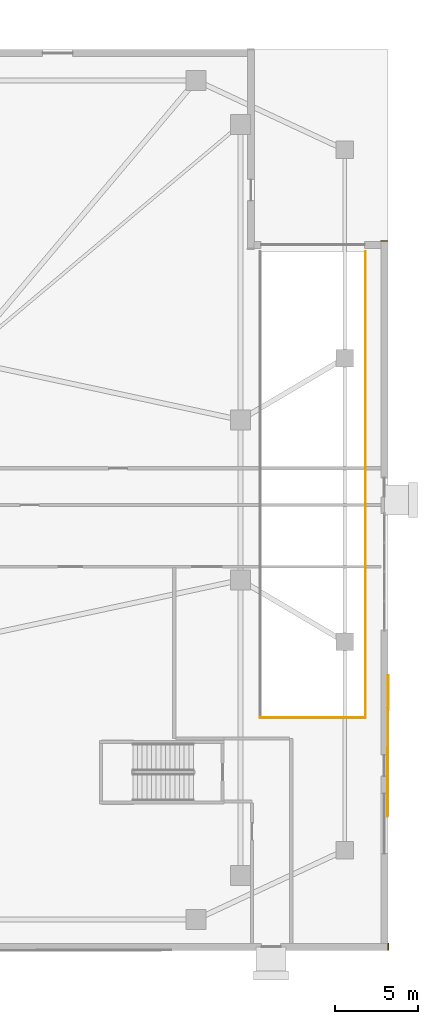
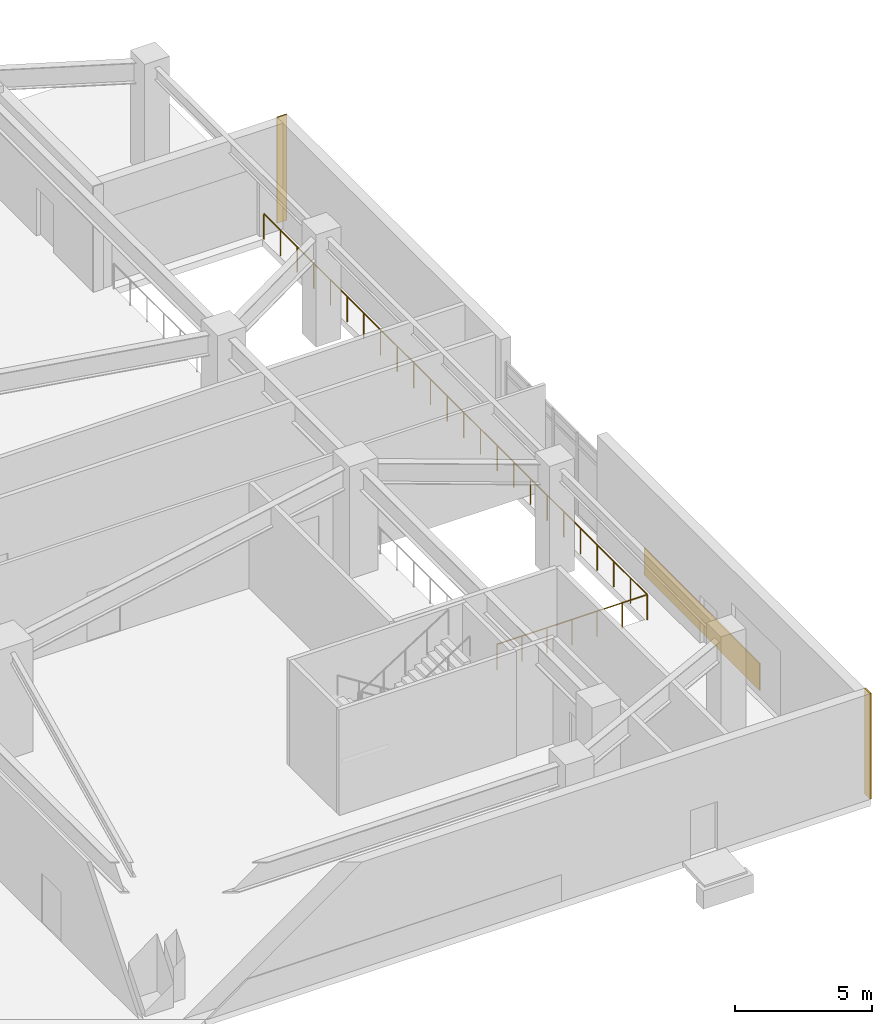
# One storey, part 20 of 21: 3 coverings, 2 railings.
"""IFC4 building model written with IfcOpenShell, lengths in metres."""

from ifc_helpers import new_model, si_unit, direction, frame, frame_2d, origin, origin_2d, place, context, subcontext, project, spatial, rectangle, circle, extrude, material, layer, layer_set, type_object, element, save


model = new_model("IFC4")

# Units and contexts
model_context = context("Model", 3, precision=1e-05, world=origin(), true_north=direction((0.0, 1.0)))
body_context = subcontext(model_context, "Body", "Model", "MODEL_VIEW")
ifc_project = project(units=[si_unit("LENGTHUNIT", "METRE"), si_unit("AREAUNIT", "SQUARE_METRE"), si_unit("VOLUMEUNIT", "CUBIC_METRE"), si_unit("PLANEANGLEUNIT", "RADIAN"), si_unit("MASSUNIT", "GRAM", prefix="KILO")], contexts=[model_context])

# Site, building, storey
site_placement = place(None, origin())
site = spatial("IfcSite", under=ifc_project, at=site_placement, CompositionType="ELEMENT")
building_placement = place(site_placement, origin())
building = spatial("IfcBuilding", under=site, at=building_placement, Name="Cairnveth Concourse Tower", CompositionType="ELEMENT")
storey_placement = place(building_placement, origin())
storey = spatial("IfcBuildingStorey", under=building, at=storey_placement, Name="L00", CompositionType="ELEMENT", Elevation=0.0)

# Coverings
ifc_material_1 = material(Name="Dressed Melbourne Bluestone Cladding", Category="masonry")
ifc_layer = layer(ifc_material_1, 0.050048828125)
ifc_layer_set = layer_set([ifc_layer], Name="Dressed Melbourne Bluestone Cladding")
covering_type = type_object("IfcCoveringType", Name="DRESSED BLUESTONE PLINTH CLADDING 50", PredefinedType="CLADDING", material=ifc_layer_set)
covering_placement = place(storey_placement, frame((85.97998046875, 20.0, 0.0), z_axis=(0.0, 0.0, 1.0), x_axis=(0.004710425683, 0.999988905883, 0.0)))
element("IfcCovering", 1, at=covering_placement, inside=storey, type_object=covering_type, Name="Melbourne Bluestone Plinth Cladding CL-L00-E1", PredefinedType="CLADDING", context=body_context, shape_type="SweptSolid", body=[
    extrude(rectangle(XDim=8.5, YDim=0.050048828125, at=frame_2d((4.25, 0.0))), origin(), (0.0, 0.0, 1.0), 1.199951171875),
])
for number, where, z_axis, x_axis, name in (
    (2, (85.580078125, 54.530029296875, 0.0), (0.0, 0.0, 1.0), (1.0, 0.0, 0.0), "Melbourne Bluestone Corner Quoin L00-4"),
    (3, (86.02001953125, 12.419921875, 0.0), (0.0, 0.0, 1.0), (0.0, -1.0, 0.0), "Melbourne Bluestone Corner Quoin L00-5"),
):
    element("IfcCovering", number, at=place(storey_placement, frame(where, z_axis=z_axis, x_axis=x_axis)), inside=storey, type_object=covering_type, Name=name, PredefinedType="CLADDING", context=body_context, shape_type="SweptSolid", body=[
        extrude(rectangle(XDim=0.419921875, YDim=0.050048828125, at=frame_2d((0.2099609375, 0.0))), origin(), (0.0, 0.0, 1.0), 4.699951171875),
    ])

# Railings
ifc_material_2 = material(Name="Steel Grade 350", Category="steel")
railing_type = type_object("IfcRailingType", Name="STAIR GUARDRAIL 1150", PredefinedType="GUARDRAIL", material=ifc_material_2)
railing_1_placement = place(storey_placement, frame((78.340087890625, 25.93994140625, 0.0)))
element("IfcRailing", 4, at=railing_1_placement, inside=storey, type_object=railing_type, Name="Concourse L00 Ramp Well Guardrail S", PredefinedType="GUARDRAIL", context=body_context, shape_type="SweptSolid", body=[
    extrude(circle(Radius=0.02490234375, at=origin_2d()), frame((0.0, 0.0, 1.125), z_axis=(1.0, 0.0, 0.0), x_axis=(0.0, 1.0, 0.0)), (0.0, 0.0, 1.0), 6.31982421875),
    extrude(circle(Radius=0.0224609375, at=origin_2d()), origin(), (0.0, 0.0, 1.0), 1.099853515625),
    extrude(circle(Radius=0.0224609375, at=origin_2d()), frame((1.05322265625, 0.0, 0.0)), (0.0, 0.0, 1.0), 1.099853515625),
    extrude(circle(Radius=0.0224609375, at=origin_2d()), frame((2.106689453125, 0.0, 0.0)), (0.0, 0.0, 1.0), 1.099853515625),
    extrude(circle(Radius=0.0224609375, at=origin_2d()), frame((3.159912109375, 0.0, 0.0)), (0.0, 0.0, 1.0), 1.099853515625),
    extrude(circle(Radius=0.0224609375, at=origin_2d()), frame((4.213134765625, 0.0, 0.0)), (0.0, 0.0, 1.0), 1.099853515625),
    extrude(circle(Radius=0.0224609375, at=origin_2d()), frame((5.2666015625, 0.0, 0.0)), (0.0, 0.0, 1.0), 1.099853515625),
    extrude(circle(Radius=0.0224609375, at=origin_2d()), frame((6.31982421875, 0.0, 0.0)), (0.0, 0.0, 1.0), 1.099853515625),
])
railing_2_placement = place(storey_placement, frame((84.659912109375, 25.93994140625, 0.0)))
element("IfcRailing", 5, at=railing_2_placement, inside=storey, type_object=railing_type, Name="Concourse L00 Ramp Well Guardrail E", PredefinedType="GUARDRAIL", context=body_context, shape_type="SweptSolid", body=[
    extrude(circle(Radius=0.02490234375, at=origin_2d()), frame((0.0, 0.0, 1.125), z_axis=(0.0, 1.0, 0.0), x_axis=(-1.0, 0.0, 0.0)), (0.0, 0.0, 1.0), 27.93994140625),
    extrude(circle(Radius=0.0224609375, at=origin_2d()), origin(), (0.0, 0.0, 1.0), 1.099853515625),
    extrude(circle(Radius=0.0224609375, at=origin_2d()), frame((0.0, 1.21484375, 0.0)), (0.0, 0.0, 1.0), 1.099853515625),
    extrude(circle(Radius=0.0224609375, at=origin_2d()), frame((0.0, 2.429443359375, 0.0)), (0.0, 0.0, 1.0), 1.099853515625),
    extrude(circle(Radius=0.0224609375, at=origin_2d()), frame((0.0, 3.644287109375, 0.0)), (0.0, 0.0, 1.0), 1.099853515625),
    extrude(circle(Radius=0.0224609375, at=origin_2d()), frame((0.0, 4.859130859375, 0.0)), (0.0, 0.0, 1.0), 1.099853515625),
    extrude(circle(Radius=0.0224609375, at=origin_2d()), frame((0.0, 6.073974609375, 0.0)), (0.0, 0.0, 1.0), 1.099853515625),
    extrude(circle(Radius=0.0224609375, at=origin_2d()), frame((0.0, 7.28857421875, 0.0)), (0.0, 0.0, 1.0), 1.099853515625),
    extrude(circle(Radius=0.0224609375, at=origin_2d()), frame((0.0, 8.50341796875, 0.0)), (0.0, 0.0, 1.0), 1.099853515625),
    extrude(circle(Radius=0.0224609375, at=origin_2d()), frame((0.0, 9.71826171875, 0.0)), (0.0, 0.0, 1.0), 1.099853515625),
    extrude(circle(Radius=0.0224609375, at=origin_2d()), frame((0.0, 10.93310546875, 0.0)), (0.0, 0.0, 1.0), 1.099853515625),
    extrude(circle(Radius=0.0224609375, at=origin_2d()), frame((0.0, 12.147705078125, 0.0)), (0.0, 0.0, 1.0), 1.099853515625),
    extrude(circle(Radius=0.0224609375, at=origin_2d()), frame((0.0, 13.362548828125, 0.0)), (0.0, 0.0, 1.0), 1.099853515625),
    extrude(circle(Radius=0.0224609375, at=origin_2d()), frame((0.0, 14.577392578125, 0.0)), (0.0, 0.0, 1.0), 1.099853515625),
    extrude(circle(Radius=0.0224609375, at=origin_2d()), frame((0.0, 15.792236328125, 0.0)), (0.0, 0.0, 1.0), 1.099853515625),
    extrude(circle(Radius=0.0224609375, at=origin_2d()), frame((0.0, 17.0068359375, 0.0)), (0.0, 0.0, 1.0), 1.099853515625),
    extrude(circle(Radius=0.0224609375, at=origin_2d()), frame((0.0, 18.2216796875, 0.0)), (0.0, 0.0, 1.0), 1.099853515625),
    extrude(circle(Radius=0.0224609375, at=origin_2d()), frame((0.0, 19.4365234375, 0.0)), (0.0, 0.0, 1.0), 1.099853515625),
    extrude(circle(Radius=0.0224609375, at=origin_2d()), frame((0.0, 20.6513671875, 0.0)), (0.0, 0.0, 1.0), 1.099853515625),
    extrude(circle(Radius=0.0224609375, at=origin_2d()), frame((0.0, 21.865966796875, 0.0)), (0.0, 0.0, 1.0), 1.099853515625),
    extrude(circle(Radius=0.0224609375, at=origin_2d()), frame((0.0, 23.080810546875, 0.0)), (0.0, 0.0, 1.0), 1.099853515625),
    extrude(circle(Radius=0.0224609375, at=origin_2d()), frame((0.0, 24.295654296875, 0.0)), (0.0, 0.0, 1.0), 1.099853515625),
    extrude(circle(Radius=0.0224609375, at=origin_2d()), frame((0.0, 25.510498046875, 0.0)), (0.0, 0.0, 1.0), 1.099853515625),
    extrude(circle(Radius=0.0224609375, at=origin_2d()), frame((0.0, 26.72509765625, 0.0)), (0.0, 0.0, 1.0), 1.099853515625),
    extrude(circle(Radius=0.0224609375, at=origin_2d()), frame((0.0, 27.93994140625, 0.0)), (0.0, 0.0, 1.0), 1.099853515625),
])

save(model, "model.ifc")
